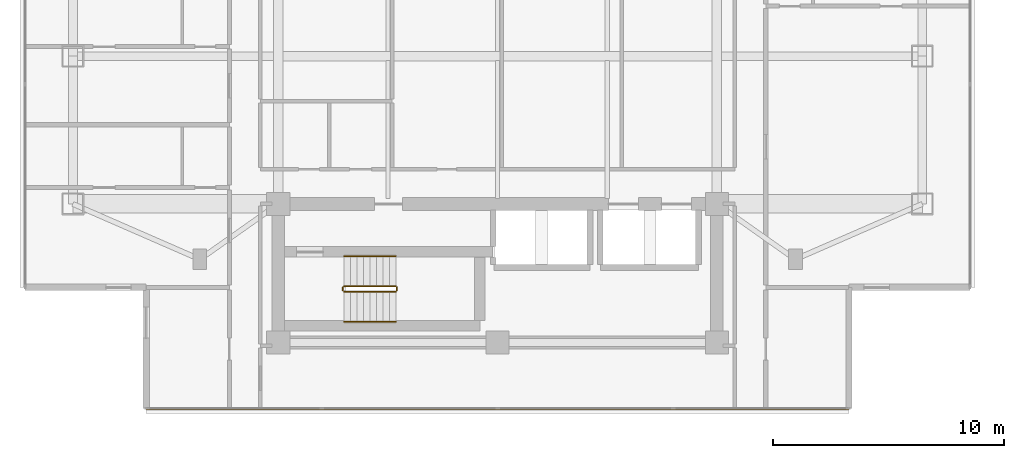
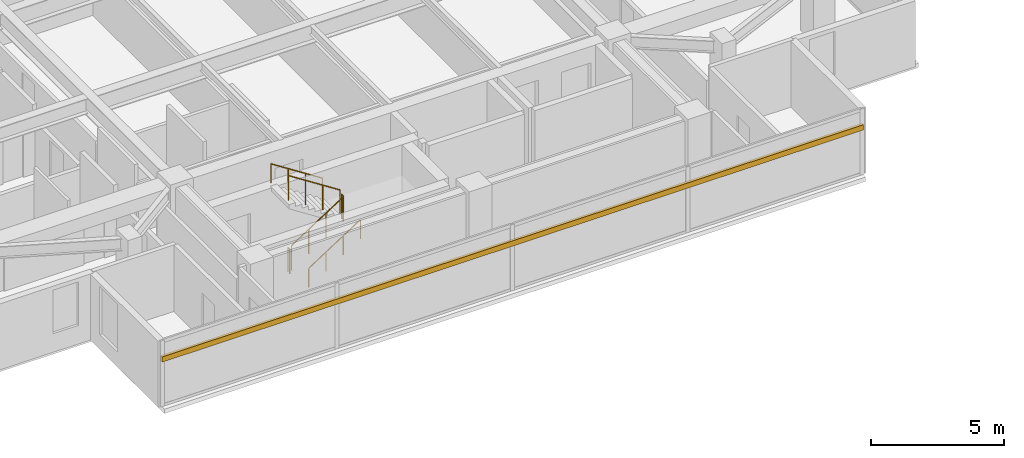
# One storey, part 19 of 24: 6 railings, 1 shading device.
"""IFC4 building model written with IfcOpenShell, lengths in metres."""

import ifcopenshell
import ifcopenshell.guid

model = None  # the IFC model being written
_history = None  # IfcOwnerHistory: only IFC2X3 demands one
_inside = {}  # id of a spatial element -> (the spatial element, [elements in it])
_under = {}  # id of a project, library or spatial element -> (it, [spatial elements below it])
_declared = {}  # id of a project -> (the project, [libraries it declares])
_typed = {}  # id of a type object -> (the type object, [elements of that type])
_made_of = {}  # id of a material, layer set ... -> (it, [elements and type objects made of it])


def new_model(schema):
    """Start an empty IFC model of exactly this schema.

    Asked for "IFC4X3", IfcOpenShell would pick the latest addendum, in which some entities
    have other attributes; the version numbers below select the first issue.
    IFC2X3 requires an IfcOwnerHistory on every rooted entity: one is made here for all.
    """
    global model, _history
    if schema == "IFC4X3":
        model = ifcopenshell.file(schema_version=(4, 3, 0, 0))
    else:
        model = ifcopenshell.file(schema=schema)
    _inside.clear()
    _under.clear()
    _declared.clear()
    _typed.clear()
    _made_of.clear()
    _history = None
    if model.schema == "IFC2X3":
        org = make("IfcOrganization", Name="unknown")
        user = make(
            "IfcPersonAndOrganization",
            ThePerson=make("IfcPerson", FamilyName="unknown"),
            TheOrganization=org,
        )
        app = make(
            "IfcApplication",
            ApplicationDeveloper=org,
            Version="unknown",
            ApplicationFullName="unknown",
            ApplicationIdentifier="unknown",
        )
        _history = make(
            "IfcOwnerHistory",
            OwningUser=user,
            OwningApplication=app,
            ChangeAction="ADDED",
            CreationDate=0,
        )
    return model


def make(cls, **values):
    """One entity of the class cls with the attributes given. An attribute that is None is left unset."""
    return model.create_entity(
        cls, **{name: value for name, value in values.items() if value is not None}
    )


def rooted(cls, **values):
    """An entity with a GlobalId (a new one), such as an element, a storey or a relation."""
    return make(cls, GlobalId=ifcopenshell.guid.new(), OwnerHistory=_history, **values)


def si_unit(unit_type, name, prefix=None):
    """IfcSIUnit, for example si_unit("LENGTHUNIT", "METRE", prefix="MILLI")."""
    return make("IfcSIUnit", UnitType=unit_type, Prefix=prefix, Name=name)


def assignment(units):
    """IfcUnitAssignment: the units of a project."""
    return None if units is None else make("IfcUnitAssignment", Units=units)


def point(xyz):
    """IfcCartesianPoint."""
    return None if xyz is None else make("IfcCartesianPoint", Coordinates=xyz)


def direction(xyz):
    """IfcDirection."""
    return None if xyz is None else make("IfcDirection", DirectionRatios=xyz)


def frame(location, z_axis=None, x_axis=None):
    """IfcAxis2Placement3D, a coordinate frame: its origin and axes. An axis left out is left unset."""
    return make(
        "IfcAxis2Placement3D",
        Location=point(location),
        Axis=direction(z_axis),
        RefDirection=direction(x_axis),
    )


def frame_2d(location, x_axis=None):
    """IfcAxis2Placement2D, a coordinate frame in the plane: its origin and x axis."""
    return make(
        "IfcAxis2Placement2D", Location=point(location), RefDirection=direction(x_axis)
    )


def origin():
    """The frame at (0, 0, 0) with its axes left unset."""
    return frame((0.0, 0.0, 0.0))


def origin_2d():
    """The frame at (0, 0) in the plane with its x axis left unset."""
    return frame_2d((0.0, 0.0))


def place(relative_to, where):
    """IfcLocalPlacement: puts the frame where relative to a parent placement (None: the world)."""
    return make(
        "IfcLocalPlacement", PlacementRelTo=relative_to, RelativePlacement=where
    )


def context(
    kind, dimensions, precision=None, world=None, true_north=None, identifier=None
):
    """IfcGeometricRepresentationContext, for example the 3D "Model" context."""
    return make(
        "IfcGeometricRepresentationContext",
        ContextIdentifier=identifier,
        ContextType=kind,
        CoordinateSpaceDimension=dimensions,
        Precision=precision,
        WorldCoordinateSystem=world,
        TrueNorth=true_north,
    )


def subcontext(parent, identifier, kind, view, scale=None):
    """IfcGeometricRepresentationSubContext, for example "Body" below "Model"."""
    return make(
        "IfcGeometricRepresentationSubContext",
        ContextIdentifier=identifier,
        ContextType=kind,
        ParentContext=parent,
        TargetScale=scale,
        TargetView=view,
    )


def project(units=None, contexts=None):
    """IfcProject with its units and contexts."""
    return rooted(
        "IfcProject",
        Name="project",
        RepresentationContexts=contexts,
        UnitsInContext=assignment(units),
    )


def spatial(cls, under=None, at=None, **own):
    """A site, building, storey or space (cls), placed at a placement, below another one or the project."""
    s = rooted(cls, ObjectPlacement=at, **own)
    if under is not None:
        _under.setdefault(under.id(), (under, []))[1].append(s)
    return s


def profile(cls, at=None, kind="AREA", **sizes):
    """A parametric profile (cls). Its sizes go by their IFC names, for example OverallWidth=200.0."""
    return make(cls, ProfileType=kind, Position=at, **sizes)


def rectangle(**sizes):
    """IfcRectangleProfileDef."""
    return profile("IfcRectangleProfileDef", **sizes)


def circle(**sizes):
    """IfcCircleProfileDef."""
    return profile("IfcCircleProfileDef", **sizes)


def extrude(swept, where, along, depth):
    """IfcExtrudedAreaSolid: the profile swept, set in the frame where, extruded along a direction by depth."""
    return make(
        "IfcExtrudedAreaSolid",
        SweptArea=swept,
        Position=where,
        ExtrudedDirection=direction(along),
        Depth=depth,
    )


def shape(context_of_items, identifier, shape_type, items):
    """IfcShapeRepresentation: the items that make up one representation, for example the "Body"."""
    return make(
        "IfcShapeRepresentation",
        ContextOfItems=context_of_items,
        RepresentationIdentifier=identifier,
        RepresentationType=shape_type,
        Items=items,
    )


def material(Name=None, Category=None):
    """IfcMaterial."""
    return make("IfcMaterial", Name=Name, Category=Category)


def material_profile(
    of_material, cross_section, Name=None, Category=None, Priority=None
):
    """IfcMaterialProfile: a cross section and its material."""
    return make(
        "IfcMaterialProfile",
        Name=Name,
        Material=of_material,
        Profile=cross_section,
        Priority=Priority,
        Category=Category,
    )


def profile_set(profiles, Name=None, composite=None):
    """IfcMaterialProfileSet."""
    return make(
        "IfcMaterialProfileSet",
        Name=Name,
        MaterialProfiles=profiles,
        CompositeProfile=composite,
    )


def made_of(thing, what):
    """Note that an element or type object is made of a material, layer set ...; save() writes the relation."""
    if what is not None:
        _made_of.setdefault(what.id(), (what, []))[1].append(thing)
    return thing


def type_object(cls, material=None, **own):
    """A type object (cls), such as IfcWallType, which elements share."""
    return made_of(rooted(cls, **own), material)


def element(
    cls,
    number,
    at=None,
    inside=None,
    cuts=None,
    type_object=None,
    material=None,
    context=None,
    identifier="Body",
    shape_type=None,
    held_by="IfcProductDefinitionShape",
    body=None,
    shapes=None,
    **own,
):
    """One element of the class cls, such as IfcWall. Its Tag is "e" and its number.

    at: its placement. inside: the storey or other place that contains it. cuts: it is an
    opening in that element (IfcRelVoidsElement). A single representation is given by context,
    identifier, shape_type and body (its items); several are given by shapes. held_by: the class
    of the entity that holds the representations. save() writes the other relations.
    """
    e = rooted(cls, Tag="e%d" % number, ObjectPlacement=at, **own)
    if body is not None:
        shapes = [shape(context, identifier, shape_type, body)]
    if shapes is not None:
        e.Representation = make(held_by, Representations=shapes)
    if inside is not None:
        _inside.setdefault(inside.id(), (inside, []))[1].append(e)
    if cuts is not None:
        rooted(
            "IfcRelVoidsElement", RelatingBuildingElement=cuts, RelatedOpeningElement=e
        )
    if type_object is not None:
        _typed.setdefault(type_object.id(), (type_object, []))[1].append(e)
    return made_of(e, material)


def aggregate(whole, parts):
    """IfcRelAggregates: a whole, such as a stair, and the parts it consists of."""
    return rooted("IfcRelAggregates", RelatingObject=whole, RelatedObjects=parts)


def save(model, path):
    """Write the relations noted so far, then the file.

    IfcRelAggregates (storeys below a building ...), IfcRelContainedInSpatialStructure (elements
    in a storey), IfcRelDefinesByType, IfcRelAssociatesMaterial and IfcRelDeclares: one each for
    every whole, place, type object, material and project.
    """
    for whole, parts in _under.values():
        aggregate(whole, parts)
    for where, things in _inside.values():
        rooted(
            "IfcRelContainedInSpatialStructure",
            RelatedElements=things,
            RelatingStructure=where,
        )
    for kind, things in _typed.values():
        rooted("IfcRelDefinesByType", RelatedObjects=things, RelatingType=kind)
    for what, things in _made_of.values():
        rooted("IfcRelAssociatesMaterial", RelatedObjects=things, RelatingMaterial=what)
    for by, libraries in _declared.values():
        rooted("IfcRelDeclares", RelatingContext=by, RelatedDefinitions=libraries)
    model.write(path)


model = new_model("IFC4")

# Units and contexts
model_context = context("Model", 3, precision=1e-05, world=origin(), true_north=direction((0.0, 1.0)))
body_context = subcontext(model_context, "Body", "Model", "MODEL_VIEW")
ifc_project = project(units=[si_unit("LENGTHUNIT", "METRE"), si_unit("AREAUNIT", "SQUARE_METRE"), si_unit("VOLUMEUNIT", "CUBIC_METRE"), si_unit("PLANEANGLEUNIT", "RADIAN"), si_unit("MASSUNIT", "GRAM", prefix="KILO")], contexts=[model_context])

# Site, building, storey
site_placement = place(None, origin())
site = spatial("IfcSite", under=ifc_project, at=site_placement, CompositionType="ELEMENT")
building_placement = place(site_placement, origin())
building = spatial("IfcBuilding", under=site, at=building_placement, Name="Mirazonda Arch Towers", CompositionType="ELEMENT")
storey_placement = place(building_placement, frame((0.0, 0.0, 164.14990234375)))
storey = spatial("IfcBuildingStorey", under=building, at=storey_placement, Name="L46", CompositionType="ELEMENT", Elevation=164.14990234375)

# Shading device
ifc_material_1 = material(Name="Kiln-Fired Architectural Terracotta", Category="masonry")
ifc_material_profile = material_profile(ifc_material_1, rectangle(XDim=0.1201171875, YDim=0.239990234375, at=origin_2d()), Name="TERRA-BAG-120x240")
ifc_profile_set = profile_set([ifc_material_profile], Name="Kiln-Fired Architectural Terracotta")
shading_device_type = type_object("IfcShadingDeviceType", Name="BAGUETTE-1", PredefinedType="USERDEFINED", material=ifc_profile_set)
shading_device_placement = place(storey_placement, frame((35.72509765625, 9.535888671875, 2.181640625), z_axis=(-1.0, 0.0, 0.0), x_axis=(0.0, -1.0, 0.0)))
element("IfcShadingDevice", 1, at=shading_device_placement, inside=storey, type_object=shading_device_type, Name="L46 Glazed Terracotta Sun-Screen Baguette CW-L46-T1-S", ObjectType="BAGUETTE", PredefinedType="USERDEFINED", context=body_context, shape_type="SweptSolid", body=[
    extrude(rectangle(XDim=0.1201171875, YDim=0.239990234375, at=origin_2d()), origin(), (0.0, 0.0, 1.0), 30.4501953125),
])

# Railings
ifc_material_2 = material(Name="Architectural Brushed Steel S355", Category="steel")
railing_type_1 = type_object("IfcRailingType", Name="GUARD-STAIR-1120", PredefinedType="GUARDRAIL", material=ifc_material_2)
railing_1_placement = place(storey_placement, frame((13.85009765625, 14.60009765625, 0.1806640625)))
element("IfcRailing", 2, at=railing_1_placement, inside=storey, type_object=railing_type_1, Name="L46 ST-T1S stair guard 1", PredefinedType="GUARDRAIL", context=body_context, shape_type="SweptSolid", body=[
    extrude(circle(Radius=0.02392578125, at=origin_2d()), frame((0.0, 0.0, 1.1259765625), z_axis=(0.840436612492, 0.0, 0.541909863706), x_axis=(0.0, 1.0, 0.0)), (0.0, 0.0, 1.0), 2.665283203125),
    extrude(circle(Radius=0.02099609375, at=origin_2d()), origin(), (0.0, 0.0, 1.0), 1.101806640625),
    extrude(circle(Radius=0.02099609375, at=origin_2d()), frame((0.74658203125, 0.0, 0.4814453125)), (0.0, 0.0, 1.0), 1.101806640625),
    extrude(circle(Radius=0.02099609375, at=origin_2d()), frame((1.493408203125, 0.0, 0.962890625)), (0.0, 0.0, 1.0), 1.101806640625),
    extrude(circle(Radius=0.02099609375, at=origin_2d()), frame((2.239990234375, 0.0, 1.4443359375)), (0.0, 0.0, 1.0), 1.101806640625),
])
railing_2_placement = place(storey_placement, frame((16.139892578125, 14.64990234375, 1.625)))
element("IfcRailing", 3, at=railing_2_placement, inside=storey, type_object=railing_type_1, Name="L46 ST-T1S stair guard 2", PredefinedType="GUARDRAIL", context=body_context, shape_type="SweptSolid", body=[
    extrude(circle(Radius=0.02392578125, at=origin_2d()), frame((0.0, 0.0, 1.1259765625), z_axis=(0.0, 1.0, 0.0), x_axis=(-1.0, 0.0, 0.0)), (0.0, 0.0, 1.0), 0.14013671875),
    extrude(circle(Radius=0.02099609375, at=origin_2d()), origin(), (0.0, 0.0, 1.0), 1.101806640625),
    extrude(circle(Radius=0.02099609375, at=origin_2d()), frame((0.0, 0.14013671875, 0.0)), (0.0, 0.0, 1.0), 1.101806640625),
])
railing_3_placement = place(storey_placement, frame((16.090087890625, 14.840087890625, 1.8056640625)))
element("IfcRailing", 4, at=railing_3_placement, inside=storey, type_object=railing_type_1, Name="L46 ST-T1S stair guard 3", PredefinedType="GUARDRAIL", context=body_context, shape_type="SweptSolid", body=[
    extrude(circle(Radius=0.02392578125, at=origin_2d()), frame((0.0, 0.0, 1.1259765625), z_axis=(-0.840436612492, 0.0, 0.541909863706), x_axis=(0.0, -1.0, 0.0)), (0.0, 0.0, 1.0), 2.665283203125),
    extrude(circle(Radius=0.02099609375, at=origin_2d()), origin(), (0.0, 0.0, 1.0), 1.101806640625),
    extrude(circle(Radius=0.02099609375, at=origin_2d()), frame((-0.74658203125, 0.0, 0.4814453125)), (0.0, 0.0, 1.0), 1.101806640625),
    extrude(circle(Radius=0.02099609375, at=origin_2d()), frame((-1.493408203125, 0.0, 0.962890625)), (0.0, 0.0, 1.0), 1.101806640625),
    extrude(circle(Radius=0.02099609375, at=origin_2d()), frame((-2.239990234375, 0.0, 1.4443359375)), (0.0, 0.0, 1.0), 1.101806640625),
])
railing_4_placement = place(storey_placement, frame((13.800048828125, 14.64990234375, 0.0)))
element("IfcRailing", 5, at=railing_4_placement, inside=storey, type_object=railing_type_1, Name="L46 ST-T1S stair guard 4", PredefinedType="GUARDRAIL", context=body_context, shape_type="SweptSolid", body=[
    extrude(circle(Radius=0.02392578125, at=origin_2d()), frame((0.0, 0.0, 1.1259765625), z_axis=(0.0, 1.0, 0.0), x_axis=(-1.0, 0.0, 0.0)), (0.0, 0.0, 1.0), 0.14013671875),
    extrude(circle(Radius=0.02099609375, at=origin_2d()), origin(), (0.0, 0.0, 1.0), 1.101806640625),
    extrude(circle(Radius=0.02099609375, at=origin_2d()), frame((0.0, 0.14013671875, 0.0)), (0.0, 0.0, 1.0), 1.101806640625),
])
railing_type_2 = type_object("IfcRailingType", Name="HANDRAIL-915", PredefinedType="HANDRAIL", material=ifc_material_2)
railing_5_placement = place(storey_placement, frame((13.85009765625, 13.300048828125, 0.1806640625)))
element("IfcRailing", 6, at=railing_5_placement, inside=storey, type_object=railing_type_2, Name="L46 ST-T1S stair handrail 1", PredefinedType="HANDRAIL", context=body_context, shape_type="SweptSolid", body=[
    extrude(circle(Radius=0.02392578125, at=origin_2d()), frame((0.0, 0.0, 0.8759765625), z_axis=(0.840436612492, 0.0, 0.541909863706), x_axis=(0.0, 1.0, 0.0)), (0.0, 0.0, 1.0), 2.665283203125),
    extrude(circle(Radius=0.02099609375, at=origin_2d()), origin(), (0.0, 0.0, 1.0), 0.851806640625),
    extrude(circle(Radius=0.02099609375, at=origin_2d()), frame((0.74658203125, 0.0, 0.4814453125)), (0.0, 0.0, 1.0), 0.851806640625),
    extrude(circle(Radius=0.02099609375, at=origin_2d()), frame((1.493408203125, 0.0, 0.962890625)), (0.0, 0.0, 1.0), 0.851806640625),
    extrude(circle(Radius=0.02099609375, at=origin_2d()), frame((2.239990234375, 0.0, 1.4443359375)), (0.0, 0.0, 1.0), 0.851806640625),
])
railing_6_placement = place(storey_placement, frame((16.090087890625, 16.139892578125, 1.8056640625)))
element("IfcRailing", 7, at=railing_6_placement, inside=storey, type_object=railing_type_2, Name="L46 ST-T1S stair handrail 2", PredefinedType="HANDRAIL", context=body_context, shape_type="SweptSolid", body=[
    extrude(circle(Radius=0.02392578125, at=origin_2d()), frame((0.0, 0.0, 0.8759765625), z_axis=(-0.840436612492, 0.0, 0.541909863706), x_axis=(0.0, -1.0, 0.0)), (0.0, 0.0, 1.0), 2.665283203125),
    extrude(circle(Radius=0.02099609375, at=origin_2d()), origin(), (0.0, 0.0, 1.0), 0.851806640625),
    extrude(circle(Radius=0.02099609375, at=origin_2d()), frame((-0.74658203125, 0.0, 0.4814453125)), (0.0, 0.0, 1.0), 0.851806640625),
    extrude(circle(Radius=0.02099609375, at=origin_2d()), frame((-1.493408203125, 0.0, 0.962890625)), (0.0, 0.0, 1.0), 0.851806640625),
    extrude(circle(Radius=0.02099609375, at=origin_2d()), frame((-2.239990234375, 0.0, 1.4443359375)), (0.0, 0.0, 1.0), 0.851806640625),
])

save(model, "model.ifc")
